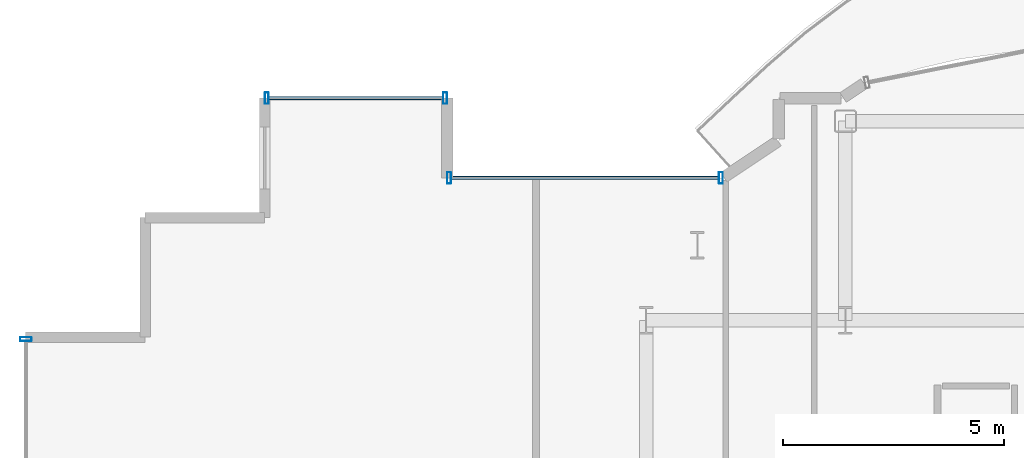
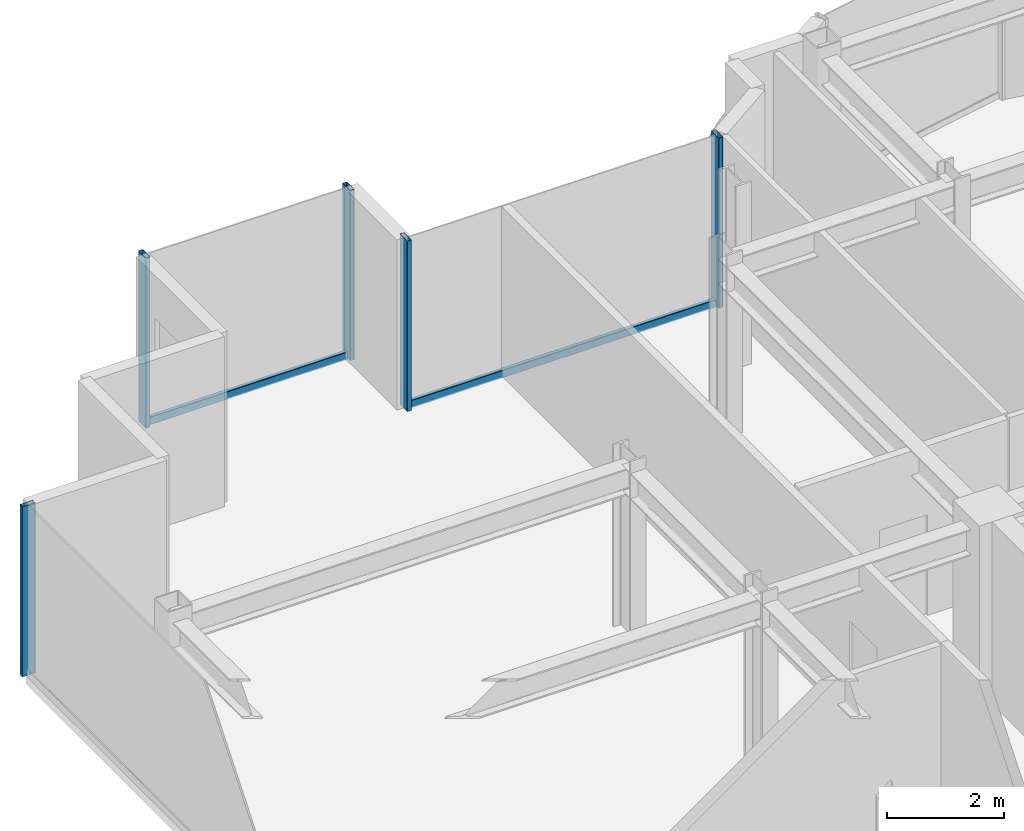
# One storey, part 9 of 18: 7 members, 3 elements without a shape of their own.
"""IFC4 building model written with IfcOpenShell, lengths in metres."""

from ifc_helpers import new_model, si_unit, direction, frame, origin, origin_2d, place, context, subcontext, project, spatial, hollow_rectangle, extrude, source, transform, mapped, material, layer, layer_set, material_profile, profile_set, type_object, element, aggregate, save


model = new_model("IFC4")

# Units and contexts
model_context = context("Model", 3, precision=1e-05, world=origin(), true_north=direction((0.0, 1.0)))
body_context = subcontext(model_context, "Body", "Model", "MODEL_VIEW")
ifc_project = project(units=[si_unit("LENGTHUNIT", "METRE"), si_unit("AREAUNIT", "SQUARE_METRE"), si_unit("VOLUMEUNIT", "CUBIC_METRE"), si_unit("PLANEANGLEUNIT", "RADIAN"), si_unit("MASSUNIT", "GRAM", prefix="KILO")], contexts=[model_context])

# Site, building, storey
site_placement = place(None, origin())
site = spatial("IfcSite", under=ifc_project, at=site_placement, CompositionType="ELEMENT")
building_placement = place(site_placement, origin())
building = spatial("IfcBuilding", under=site, at=building_placement, Name="Nefas-Gora Pilgrimage Tower", CompositionType="ELEMENT")
storey_placement = place(building_placement, frame((0.0, 0.0, 326.199951171875)))
storey = spatial("IfcBuildingStorey", under=building, at=storey_placement, Name="L82", CompositionType="ELEMENT", Elevation=326.199951171875)

# Curtain wall, members
ifc_material_1 = material(Name="Dark ceramic-fritted solar-control aluminium-glass curtain wall", Category="aluminium")
ifc_layer_1 = layer(ifc_material_1, 0.219970703125)
ifc_layer_set_1 = layer_set([ifc_layer_1], Name="Dark ceramic-fritted solar-control aluminium-glass curtain wall")
curtain_wall_type_1 = type_object("IfcCurtainWallType", Name="CW-SYS-5", PredefinedType="NOTDEFINED", material=ifc_layer_set_1)
curtain_wall_1_placement = place(storey_placement, origin())
curtain_wall_1 = element("IfcCurtainWall", 1, at=curtain_wall_1_placement, inside=storey, type_object=curtain_wall_type_1, Name="L82 Unitised Curtain Wall CW5", PredefinedType="NOTDEFINED")
ifc_material_2 = material(Name="Anodised architectural aluminium", Category="aluminium")
ifc_material_profile_1 = material_profile(ifc_material_2, hollow_rectangle(XDim=0.090087890625, YDim=0.260009765625, WallThickness=0.006103515625, InnerFilletRadius=0.006103515625, OuterFilletRadius=0.011962890625, at=origin_2d()), Name="ALU MULLION 90x260")
ifc_profile_set_1 = profile_set([ifc_material_profile_1], Name="Anodised architectural aluminium")
member_type_1 = type_object("IfcMemberType", Name="CWM-MUL-5", PredefinedType="MULLION", material=ifc_profile_set_1)
shared_shape_1 = source(origin(), body_context, "Body", "SweptSolid", [
    extrude(hollow_rectangle(XDim=0.090087890625, YDim=0.260009765625, WallThickness=0.006103515625, InnerFilletRadius=0.006103515625, OuterFilletRadius=0.011962890625, at=origin_2d()), origin(), (0.0, 0.0, 1.0), 3.550048828125),
])
member_1_placement = place(storey_placement, frame((-9.56298828125, 21.219970703125, 0.0), z_axis=(0.0, 0.0, 1.0), x_axis=(-1.0, 0.0, 0.0)))
member_1 = element("IfcMember", 2, at=member_1_placement, type_object=member_type_1, Name="CW5 Mullion 1", PredefinedType="MULLION", context=body_context, shape_type="MappedRepresentation", body=[
    mapped(shared_shape_1, transform((0.0, 0.0, 0.0), x_axis=(1.0, 0.0, 0.0), y_axis=(0.0, 1.0, 0.0), z_axis=(0.0, 0.0, 1.0), scale=1.0)),
])
member_2_placement = place(storey_placement, frame((-15.705078125, 21.219970703125, 0.0), z_axis=(0.0, 0.0, 1.0), x_axis=(-1.0, 0.0, 0.0)))
member_2 = element("IfcMember", 3, at=member_2_placement, type_object=member_type_1, Name="CW5 Mullion 2", PredefinedType="MULLION", context=body_context, shape_type="MappedRepresentation", body=[
    mapped(shared_shape_1, transform((0.0, 0.0, 0.0), x_axis=(1.0, 0.0, 0.0), y_axis=(0.0, 1.0, 0.0), z_axis=(0.0, 0.0, 1.0), scale=1.0)),
])
ifc_material_profile_2 = material_profile(ifc_material_2, hollow_rectangle(XDim=0.080078125, YDim=0.159912109375, WallThickness=0.00439453125, InnerFilletRadius=0.00439453125, OuterFilletRadius=0.009033203125, at=origin_2d()), Name="ALU TRANSOM 80x160")
ifc_profile_set_2 = profile_set([ifc_material_profile_2], Name="Anodised architectural aluminium")
member_type_2 = type_object("IfcMemberType", Name="CWM-TRN-5", PredefinedType="USERDEFINED", material=ifc_profile_set_2)
shared_shape_2 = source(origin(), body_context, "Body", "SweptSolid", [
    extrude(hollow_rectangle(XDim=0.080078125, YDim=0.159912109375, WallThickness=0.00439453125, InnerFilletRadius=0.00439453125, OuterFilletRadius=0.009033203125, at=origin_2d()), origin(), (0.0, 0.0, 1.0), 6.052001953125),
])
member_3_placement = place(storey_placement, frame((-9.60791015625, 21.219970703125, 0.050048828125), z_axis=(-1.0, 0.0, 0.0), x_axis=(0.0, -1.0, 0.0)))
member_3 = element("IfcMember", 4, at=member_3_placement, type_object=member_type_2, Name="CW5 Spandrel Transom", ObjectType="TRANSOM", PredefinedType="USERDEFINED", context=body_context, shape_type="MappedRepresentation", body=[
    mapped(shared_shape_2, transform((0.0, 0.0, 0.0), x_axis=(1.0, 0.0, 0.0), y_axis=(0.0, 1.0, 0.0), z_axis=(0.0, 0.0, 1.0), scale=1.0)),
])
aggregate(curtain_wall_1, [member_1, member_2, member_3])

ifc_layer_2 = layer(ifc_material_1, 0.219970703125)
ifc_layer_set_2 = layer_set([ifc_layer_2], Name="Dark ceramic-fritted solar-control aluminium-glass curtain wall")
curtain_wall_type_2 = type_object("IfcCurtainWallType", Name="CW-SYS-4", PredefinedType="NOTDEFINED", material=ifc_layer_set_2)
curtain_wall_2_placement = place(storey_placement, origin())
curtain_wall_2 = element("IfcCurtainWall", 5, at=curtain_wall_2_placement, inside=storey, type_object=curtain_wall_type_2, Name="L82 Unitised Curtain Wall CW4", PredefinedType="NOTDEFINED")
ifc_material_profile_3 = material_profile(ifc_material_2, hollow_rectangle(XDim=0.080078125, YDim=0.159912109375, WallThickness=0.00439453125, InnerFilletRadius=0.00439453125, OuterFilletRadius=0.009033203125, at=origin_2d()), Name="ALU TRANSOM 80x160")
ifc_profile_set_3 = profile_set([ifc_material_profile_3], Name="Anodised architectural aluminium")
member_type_3 = type_object("IfcMemberType", Name="CWM-TRN-4", PredefinedType="USERDEFINED", material=ifc_profile_set_3)
shared_shape_3 = source(origin(), body_context, "Body", "SweptSolid", [
    extrude(hollow_rectangle(XDim=0.080078125, YDim=0.159912109375, WallThickness=0.00439453125, InnerFilletRadius=0.00439453125, OuterFilletRadius=0.009033203125, at=origin_2d()), origin(), (0.0, 0.0, 1.0), 3.93994140625),
])
member_4_placement = place(storey_placement, frame((-15.840087890625, 23.02001953125, 0.050048828125), z_axis=(-1.0, 0.0, 0.0), x_axis=(0.0, -1.0, 0.0)))
member_4 = element("IfcMember", 6, at=member_4_placement, type_object=member_type_3, Name="CW4 Spandrel Transom", ObjectType="TRANSOM", PredefinedType="USERDEFINED", context=body_context, shape_type="MappedRepresentation", body=[
    mapped(shared_shape_3, transform((0.0, 0.0, 0.0), x_axis=(1.0, 0.0, 0.0), y_axis=(0.0, 1.0, 0.0), z_axis=(0.0, 0.0, 1.0), scale=1.0)),
])
ifc_material_profile_4 = material_profile(ifc_material_2, hollow_rectangle(XDim=0.090087890625, YDim=0.260009765625, WallThickness=0.006103515625, InnerFilletRadius=0.006103515625, OuterFilletRadius=0.011962890625, at=origin_2d()), Name="ALU MULLION 90x260")
ifc_profile_set_4 = profile_set([ifc_material_profile_4], Name="Anodised architectural aluminium")
member_type_4 = type_object("IfcMemberType", Name="CWM-MUL-4", PredefinedType="MULLION", material=ifc_profile_set_4)
shared_shape_4 = source(origin(), body_context, "Body", "SweptSolid", [
    extrude(hollow_rectangle(XDim=0.090087890625, YDim=0.260009765625, WallThickness=0.006103515625, InnerFilletRadius=0.006103515625, OuterFilletRadius=0.011962890625, at=origin_2d()), origin(), (0.0, 0.0, 1.0), 3.550048828125),
])
member_5_placement = place(storey_placement, frame((-15.794921875, 23.02001953125, 0.0), z_axis=(0.0, 0.0, 1.0), x_axis=(-1.0, 0.0, 0.0)))
member_5 = element("IfcMember", 7, at=member_5_placement, type_object=member_type_4, Name="CW4 Mullion 1", PredefinedType="MULLION", context=body_context, shape_type="MappedRepresentation", body=[
    mapped(shared_shape_4, transform((0.0, 0.0, 0.0), x_axis=(1.0, 0.0, 0.0), y_axis=(0.0, 1.0, 0.0), z_axis=(0.0, 0.0, 1.0), scale=1.0)),
])
member_6_placement = place(storey_placement, frame((-19.824951171875, 23.02001953125, 0.0), z_axis=(0.0, 0.0, 1.0), x_axis=(-1.0, 0.0, 0.0)))
member_6 = element("IfcMember", 8, at=member_6_placement, type_object=member_type_4, Name="CW4 Mullion 2", PredefinedType="MULLION", context=body_context, shape_type="MappedRepresentation", body=[
    mapped(shared_shape_4, transform((0.0, 0.0, 0.0), x_axis=(1.0, 0.0, 0.0), y_axis=(0.0, 1.0, 0.0), z_axis=(0.0, 0.0, 1.0), scale=1.0)),
])
aggregate(curtain_wall_2, [member_5, member_6, member_4])

# Curtain wall, member
curtain_wall_3_placement = place(storey_placement, origin())
curtain_wall_3 = element("IfcCurtainWall", 9, at=curtain_wall_3_placement, inside=storey, type_object=curtain_wall_type_2, Name="L82 Unitised Curtain Wall CW4", PredefinedType="NOTDEFINED")
member_7_placement = place(storey_placement, frame((-25.27001953125, 17.574951171875, 0.0), z_axis=(0.0, 0.0, 1.0), x_axis=(0.0, -1.0, 0.0)))
member_7 = element("IfcMember", 10, at=member_7_placement, type_object=member_type_4, Name="CW4 Mullion 1", PredefinedType="MULLION", context=body_context, shape_type="MappedRepresentation", body=[
    mapped(shared_shape_4, transform((0.0, 0.0, 0.0), x_axis=(1.0, 0.0, 0.0), y_axis=(0.0, 1.0, 0.0), z_axis=(0.0, 0.0, 1.0), scale=1.0)),
])
aggregate(curtain_wall_3, [member_7])

save(model, "model.ifc")
